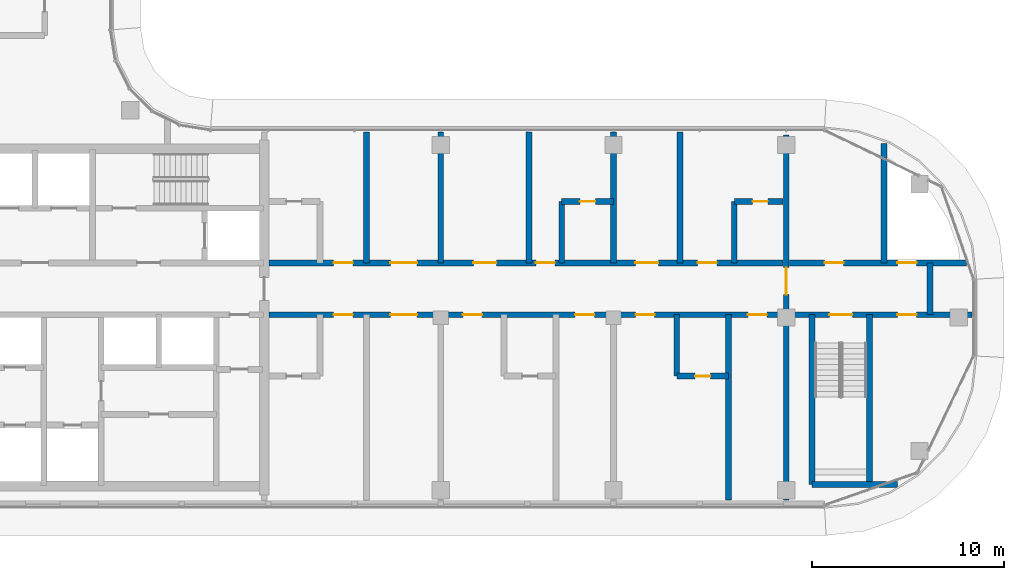
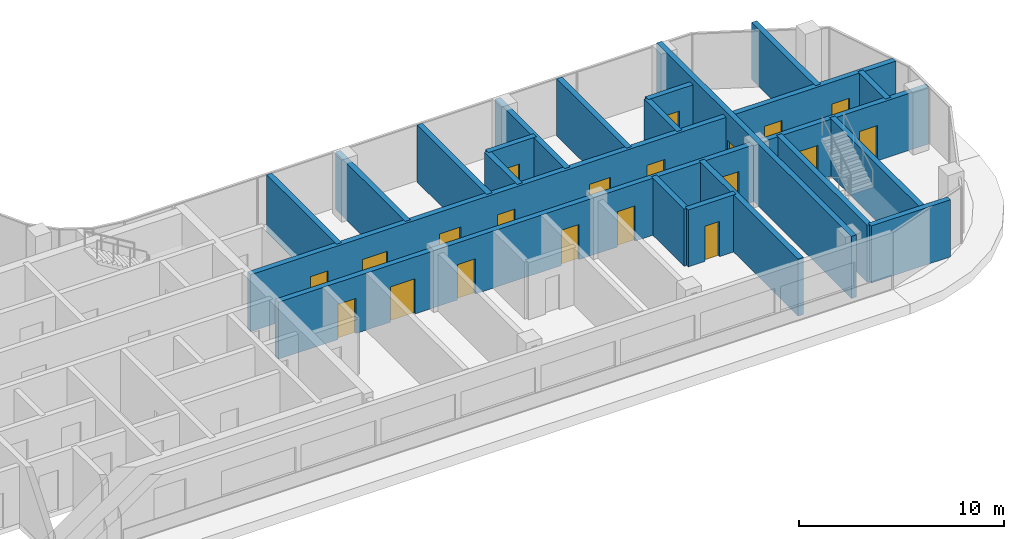
# One storey, part 15 of 22: 22 walls, 20 doors, 20 openings.
"""IFC4 building model written with IfcOpenShell, lengths in metres."""

from ifc_helpers import new_model, si_unit, direction, frame, frame_2d, origin, place, context, subcontext, project, spatial, rectangle, extrude, material, layer, layer_set, type_object, element, fill, save


model = new_model("IFC4")

# Units and contexts
model_context = context("Model", 3, precision=1e-05, world=origin(), true_north=direction((0.0, 1.0)))
body_context = subcontext(model_context, "Body", "Model", "MODEL_VIEW")
ifc_project = project(units=[si_unit("LENGTHUNIT", "METRE"), si_unit("AREAUNIT", "SQUARE_METRE"), si_unit("VOLUMEUNIT", "CUBIC_METRE"), si_unit("PLANEANGLEUNIT", "RADIAN"), si_unit("MASSUNIT", "GRAM", prefix="KILO")], contexts=[model_context])

# Site, building, storey
site_placement = place(None, origin())
site = spatial("IfcSite", under=ifc_project, at=site_placement, CompositionType="ELEMENT")
building_placement = place(site_placement, origin())
building = spatial("IfcBuilding", under=site, at=building_placement, Name="Ogive Portal Towers", CompositionType="ELEMENT")
storey_placement = place(building_placement, frame((0.0, 0.0, 206.89990234375)))
storey = spatial("IfcBuildingStorey", under=building, at=storey_placement, Name="L51", CompositionType="ELEMENT", Elevation=206.89990234375)

# Wall, opening, door
ifc_material_1 = material(Name="Concrete C60/75", Category="concrete")
ifc_layer_1 = layer(ifc_material_1, 0.300048828125)
ifc_layer_set_1 = layer_set([ifc_layer_1], Name="REVEAL WALL 300 C60")
wall_type_1 = type_object("IfcWallType", Name="REVEAL WALL 300 C60", PredefinedType="SHEAR", material=ifc_layer_set_1)
wall_1_placement = place(storey_placement, frame((85.5, 20.9951171875, 0.0), z_axis=(0.0, 0.0, 1.0), x_axis=(0.0, 1.0, 0.0)))
wall_1 = element("IfcWall", 1, at=wall_1_placement, inside=storey, type_object=wall_type_1, Name="Portal reveal wall L51", PredefinedType="SHEAR", context=body_context, shape_type="SweptSolid", body=[
    extrude(rectangle(XDim=19.009765625, YDim=0.300048828125, at=frame_2d((9.5048828125, 0.0))), origin(), (0.0, 0.0, 1.0), 3.7001953125),
])
opening_1_placement = place(wall_1_placement, frame((10.705078125, 0.0, 0.0)))
opening_1 = element("IfcOpeningElement", 2, at=opening_1_placement, cuts=wall_1, Name="Opening D23-060", PredefinedType="OPENING", context=body_context, shape_type="SweptSolid", body=[
    extrude(rectangle(XDim=1.39990234375, YDim=2.10009765625, at=frame_2d((0.699951171875, 1.050048828125))), frame((0.0, 0.16015625, 0.0), z_axis=(0.0, -1.0, 0.0), x_axis=(1.0, 0.0, 0.0)), (0.0, 0.0, 1.0), 0.320068359375),
])
ifc_material_2 = material(Name="Steel fire door", Category="steel")
door_type_1 = type_object("IfcDoorType", Name="DT-STAIR-1400x2100-FD90S", OperationType="SINGLE_SWING_LEFT", PredefinedType="DOOR", material=ifc_material_2)
door_1_placement = place(opening_1_placement, origin())
door_1 = element("IfcDoor", 3, at=door_1_placement, inside=storey, type_object=door_type_1, Name="Door D23-060", OperationType="SINGLE_SWING_RIGHT", OverallHeight=2.10009765625, OverallWidth=1.39990234375, PredefinedType="DOOR", context=body_context, shape_type="SweptSolid", body=[
    extrude(rectangle(XDim=1.39990234375, YDim=2.10009765625, at=frame_2d((0.699951171875, 1.050048828125))), frame((0.0, 0.02490234375, 0.0), z_axis=(0.0, -1.0, 0.0), x_axis=(1.0, 0.0, 0.0)), (0.0, 0.0, 1.0), 0.050048828125),
])
fill(opening_1, door_1)

# Wall
ifc_material_3 = material(Name="Concrete C50/60", Category="concrete")
ifc_layer_2 = layer(ifc_material_3, 0.300048828125)
ifc_layer_set_2 = layer_set([ifc_layer_2], Name="STAIR WALL 300 C50")
wall_type_2 = type_object("IfcWallType", Name="STAIR WALL 300 C50", PredefinedType="SHEAR", material=ifc_layer_set_2)
wall_2_placement = place(storey_placement, frame((86.85009765625, 21.800048828125, 0.0), z_axis=(0.0, 0.0, 1.0), x_axis=(1.0, 0.0, 0.0)))
element("IfcWall", 4, at=wall_2_placement, inside=storey, type_object=wall_type_2, Name="Stair wall ST-A4 L51", PredefinedType="SHEAR", context=body_context, shape_type="SweptSolid", body=[
    extrude(rectangle(XDim=4.4599609375, YDim=0.300048828125, at=frame_2d((2.22998046875, 0.0))), origin(), (0.0, 0.0, 1.0), 3.400146484375),
])

# Wall, openings, doors
wall_3_placement = place(storey_placement, frame((85.669921875, 30.64990234375, 0.0), z_axis=(0.0, 0.0, 1.0), x_axis=(1.0, 0.0, 0.0)))
wall_3 = element("IfcWall", 5, at=wall_3_placement, inside=storey, type_object=wall_type_2, Name="Stair wall ST-A4 L51", PredefinedType="SHEAR", context=body_context, shape_type="SweptSolid", body=[
    extrude(rectangle(XDim=9.51513671875, YDim=0.300048828125, at=frame_2d((4.757568359375, 0.0))), origin(), (0.0, 0.0, 1.0), 3.400146484375),
])
opening_2_placement = place(wall_3_placement, frame((2.080078125, 0.0, 0.0)))
opening_2 = element("IfcOpeningElement", 6, at=opening_2_placement, cuts=wall_3, Name="Opening D23-056", PredefinedType="OPENING", context=body_context, shape_type="SweptSolid", body=[
    extrude(rectangle(XDim=1.199951171875, YDim=2.10009765625, at=frame_2d((0.60009765625, 1.050048828125))), frame((0.0, 0.16015625, 0.0), z_axis=(0.0, -1.0, 0.0), x_axis=(1.0, 0.0, 0.0)), (0.0, 0.0, 1.0), 0.320068359375),
])
opening_3_placement = place(wall_3_placement, frame((5.6298828125, 0.0, 0.0)))
opening_3 = element("IfcOpeningElement", 7, at=opening_3_placement, cuts=wall_3, Name="Opening D23-059", PredefinedType="OPENING", context=body_context, shape_type="SweptSolid", body=[
    extrude(rectangle(XDim=1.0, YDim=2.10009765625, at=frame_2d((0.5, 1.050048828125))), frame((0.0, 0.16015625, 0.0), z_axis=(0.0, -1.0, 0.0), x_axis=(1.0, 0.0, 0.0)), (0.0, 0.0, 1.0), 0.320068359375),
])
door_type_2 = type_object("IfcDoorType", Name="DT-SERVICE-1000x2100-FD90S", OperationType="SINGLE_SWING_LEFT", PredefinedType="DOOR", material=ifc_material_2)
door_2_placement = place(opening_3_placement, origin())
door_2 = element("IfcDoor", 8, at=door_2_placement, inside=storey, type_object=door_type_2, Name="Door D23-059", OperationType="SINGLE_SWING_LEFT", OverallHeight=2.10009765625, OverallWidth=1.0, PredefinedType="DOOR", context=body_context, shape_type="SweptSolid", body=[
    extrude(rectangle(XDim=1.0, YDim=2.10009765625, at=frame_2d((0.5, 1.050048828125))), frame((0.0, 0.02490234375, 0.0), z_axis=(0.0, -1.0, 0.0), x_axis=(1.0, 0.0, 0.0)), (0.0, 0.0, 1.0), 0.050048828125),
])
fill(opening_3, door_2)
door_type_3 = type_object("IfcDoorType", Name="DT-STAIR-1200x2100-FD90S", OperationType="SINGLE_SWING_LEFT", PredefinedType="DOOR", material=ifc_material_2)
door_3_placement = place(opening_2_placement, origin())
door_3 = element("IfcDoor", 9, at=door_3_placement, inside=storey, type_object=door_type_3, Name="Door D23-056", OperationType="SINGLE_SWING_LEFT", OverallHeight=2.10009765625, OverallWidth=1.199951171875, PredefinedType="DOOR", context=body_context, shape_type="SweptSolid", body=[
    extrude(rectangle(XDim=1.199951171875, YDim=2.10009765625, at=frame_2d((0.60009765625, 1.050048828125))), frame((0.0, 0.02490234375, 0.0), z_axis=(0.0, -1.0, 0.0), x_axis=(1.0, 0.0, 0.0)), (0.0, 0.0, 1.0), 0.050048828125),
])
fill(opening_2, door_3)

# Walls
for number, where, z_axis, x_axis, name in (
    (10, (86.85009765625, 21.800048828125, 0.0), (0.0, 0.0, 1.0), (0.0, 1.0, 0.0), "Stair wall ST-A4 L51"),
    (11, (89.85009765625, 21.800048828125, 0.0), (0.0, 0.0, 1.0), (0.0, 1.0, 0.0), "Stair wall ST-A4 L51"),
):
    element("IfcWall", number, at=place(storey_placement, frame(where, z_axis=z_axis, x_axis=x_axis)), inside=storey, type_object=wall_type_2, Name=name, PredefinedType="SHEAR", context=body_context, shape_type="SweptSolid", body=[
        extrude(rectangle(XDim=8.849853515625, YDim=0.300048828125, at=frame_2d((4.4248046875, 0.0))), origin(), (0.0, 0.0, 1.0), 3.400146484375),
    ])

# Wall, openings, doors
ifc_material_4 = material(Name="Gypsum board partition on steel studs", Category="steel")
ifc_layer_3 = layer(ifc_material_4, 0.300048828125)
ifc_layer_set_3 = layer_set([ifc_layer_3], Name="WT-PART-300-EI 120")
wall_type_3 = type_object("IfcWallType", Name="WT-PART-300-EI 120", PredefinedType="PARTITIONING", material=ifc_layer_set_3)
wall_4_placement = place(storey_placement, frame((58.550048828125, 30.64990234375, 0.0), z_axis=(0.0, 0.0, 1.0), x_axis=(1.0, 0.0, 0.0)))
wall_4 = element("IfcWall", 12, at=wall_4_placement, inside=storey, type_object=wall_type_3, Name="Wall L51:w005", PredefinedType="PARTITIONING", context=body_context, shape_type="SweptSolid", body=[
    extrude(rectangle(XDim=26.780029296875, YDim=0.300048828125, at=frame_2d((13.39013671875, 0.0))), origin(), (0.0, 0.0, 1.0), 3.400146484375),
])
opening_4_placement = place(wall_4_placement, frame((3.364990234375, 0.0, 0.0)))
opening_4 = element("IfcOpeningElement", 13, at=opening_4_placement, cuts=wall_4, Name="Opening D23-031", PredefinedType="OPENING", context=body_context, shape_type="SweptSolid", body=[
    extrude(rectangle(XDim=1.0, YDim=2.10009765625, at=frame_2d((0.5, 1.050048828125))), frame((0.0, 0.16015625, 0.0), z_axis=(0.0, -1.0, 0.0), x_axis=(1.0, 0.0, 0.0)), (0.0, 0.0, 1.0), 0.320068359375),
])
opening_5_placement = place(wall_4_placement, frame((6.31494140625, 0.0, 0.0)))
opening_5 = element("IfcOpeningElement", 14, at=opening_5_placement, cuts=wall_4, Name="Opening D23-032", PredefinedType="OPENING", context=body_context, shape_type="SweptSolid", body=[
    extrude(rectangle(XDim=1.39990234375, YDim=2.10009765625, at=frame_2d((0.699951171875, 1.050048828125))), frame((0.0, 0.16015625, 0.0), z_axis=(0.0, -1.0, 0.0), x_axis=(1.0, 0.0, 0.0)), (0.0, 0.0, 1.0), 0.320068359375),
])
opening_6_placement = place(wall_4_placement, frame((10.10009765625, 0.0, 0.0)))
opening_6 = element("IfcOpeningElement", 15, at=opening_6_placement, cuts=wall_4, Name="Opening D23-037", PredefinedType="OPENING", context=body_context, shape_type="SweptSolid", body=[
    extrude(rectangle(XDim=1.0, YDim=2.10009765625, at=frame_2d((0.5, 1.050048828125))), frame((0.0, 0.16015625, 0.0), z_axis=(0.0, -1.0, 0.0), x_axis=(1.0, 0.0, 0.0)), (0.0, 0.0, 1.0), 0.320068359375),
])
opening_7_placement = place(wall_4_placement, frame((15.949951171875, 0.0, 0.0)))
opening_7 = element("IfcOpeningElement", 16, at=opening_7_placement, cuts=wall_4, Name="Opening D23-038", PredefinedType="OPENING", context=body_context, shape_type="SweptSolid", body=[
    extrude(rectangle(XDim=1.0, YDim=2.10009765625, at=frame_2d((0.5, 1.050048828125))), frame((0.0, 0.16015625, 0.0), z_axis=(0.0, -1.0, 0.0), x_axis=(1.0, 0.0, 0.0)), (0.0, 0.0, 1.0), 0.320068359375),
])
opening_8_placement = place(wall_4_placement, frame((19.10009765625, 0.0, 0.0)))
opening_8 = element("IfcOpeningElement", 17, at=opening_8_placement, cuts=wall_4, Name="Opening D23-043", PredefinedType="OPENING", context=body_context, shape_type="SweptSolid", body=[
    extrude(rectangle(XDim=1.0, YDim=2.10009765625, at=frame_2d((0.5, 1.050048828125))), frame((0.0, 0.16015625, 0.0), z_axis=(0.0, -1.0, 0.0), x_axis=(1.0, 0.0, 0.0)), (0.0, 0.0, 1.0), 0.320068359375),
])
opening_9_placement = place(wall_4_placement, frame((24.949951171875, 0.0, 0.0)))
opening_9 = element("IfcOpeningElement", 18, at=opening_9_placement, cuts=wall_4, Name="Opening D23-044", PredefinedType="OPENING", context=body_context, shape_type="SweptSolid", body=[
    extrude(rectangle(XDim=1.0, YDim=2.10009765625, at=frame_2d((0.5, 1.050048828125))), frame((0.0, 0.16015625, 0.0), z_axis=(0.0, -1.0, 0.0), x_axis=(1.0, 0.0, 0.0)), (0.0, 0.0, 1.0), 0.320068359375),
])
door_type_4 = type_object("IfcDoorType", Name="DT-ENTRY-1000x2100-FD90S", OperationType="SINGLE_SWING_LEFT", PredefinedType="DOOR", material=ifc_material_2)
door_4_placement = place(opening_4_placement, origin())
door_4 = element("IfcDoor", 19, at=door_4_placement, inside=storey, type_object=door_type_4, Name="Door D23-031", OperationType="SINGLE_SWING_LEFT", OverallHeight=2.10009765625, OverallWidth=1.0, PredefinedType="DOOR", context=body_context, shape_type="SweptSolid", body=[
    extrude(rectangle(XDim=1.0, YDim=2.10009765625, at=frame_2d((0.5, 1.050048828125))), frame((0.0, 0.02490234375, 0.0), z_axis=(0.0, -1.0, 0.0), x_axis=(1.0, 0.0, 0.0)), (0.0, 0.0, 1.0), 0.050048828125),
])
fill(opening_4, door_4)
door_5_placement = place(opening_6_placement, origin())
door_5 = element("IfcDoor", 20, at=door_5_placement, inside=storey, type_object=door_type_4, Name="Door D23-037", OperationType="SINGLE_SWING_LEFT", OverallHeight=2.10009765625, OverallWidth=1.0, PredefinedType="DOOR", context=body_context, shape_type="SweptSolid", body=[
    extrude(rectangle(XDim=1.0, YDim=2.10009765625, at=frame_2d((0.5, 1.050048828125))), frame((0.0, 0.02490234375, 0.0), z_axis=(0.0, -1.0, 0.0), x_axis=(1.0, 0.0, 0.0)), (0.0, 0.0, 1.0), 0.050048828125),
])
fill(opening_6, door_5)
door_6_placement = place(opening_7_placement, origin())
door_6 = element("IfcDoor", 21, at=door_6_placement, inside=storey, type_object=door_type_4, Name="Door D23-038", OperationType="SINGLE_SWING_RIGHT", OverallHeight=2.10009765625, OverallWidth=1.0, PredefinedType="DOOR", context=body_context, shape_type="SweptSolid", body=[
    extrude(rectangle(XDim=1.0, YDim=2.10009765625, at=frame_2d((0.5, 1.050048828125))), frame((0.0, 0.02490234375, 0.0), z_axis=(0.0, -1.0, 0.0), x_axis=(1.0, 0.0, 0.0)), (0.0, 0.0, 1.0), 0.050048828125),
])
fill(opening_7, door_6)
door_7_placement = place(opening_8_placement, origin())
door_7 = element("IfcDoor", 22, at=door_7_placement, inside=storey, type_object=door_type_4, Name="Door D23-043", OperationType="SINGLE_SWING_LEFT", OverallHeight=2.10009765625, OverallWidth=1.0, PredefinedType="DOOR", context=body_context, shape_type="SweptSolid", body=[
    extrude(rectangle(XDim=1.0, YDim=2.10009765625, at=frame_2d((0.5, 1.050048828125))), frame((0.0, 0.02490234375, 0.0), z_axis=(0.0, -1.0, 0.0), x_axis=(1.0, 0.0, 0.0)), (0.0, 0.0, 1.0), 0.050048828125),
])
fill(opening_8, door_7)
door_8_placement = place(opening_9_placement, origin())
door_8 = element("IfcDoor", 23, at=door_8_placement, inside=storey, type_object=door_type_4, Name="Door D23-044", OperationType="SINGLE_SWING_RIGHT", OverallHeight=2.10009765625, OverallWidth=1.0, PredefinedType="DOOR", context=body_context, shape_type="SweptSolid", body=[
    extrude(rectangle(XDim=1.0, YDim=2.10009765625, at=frame_2d((0.5, 1.050048828125))), frame((0.0, 0.02490234375, 0.0), z_axis=(0.0, -1.0, 0.0), x_axis=(1.0, 0.0, 0.0)), (0.0, 0.0, 1.0), 0.050048828125),
])
fill(opening_9, door_8)
door_type_5 = type_object("IfcDoorType", Name="DT-ENTRY-1400x2100-FD90S", OperationType="SINGLE_SWING_LEFT", PredefinedType="DOOR", material=ifc_material_2)
door_9_placement = place(opening_5_placement, origin())
door_9 = element("IfcDoor", 24, at=door_9_placement, inside=storey, type_object=door_type_5, Name="Door D23-032", OperationType="SINGLE_SWING_RIGHT", OverallHeight=2.10009765625, OverallWidth=1.39990234375, PredefinedType="DOOR", context=body_context, shape_type="SweptSolid", body=[
    extrude(rectangle(XDim=1.39990234375, YDim=2.10009765625, at=frame_2d((0.699951171875, 1.050048828125))), frame((0.0, 0.02490234375, 0.0), z_axis=(0.0, -1.0, 0.0), x_axis=(1.0, 0.0, 0.0)), (0.0, 0.0, 1.0), 0.050048828125),
])
fill(opening_5, door_9)

wall_5_placement = place(storey_placement, frame((58.550048828125, 33.35009765625, 0.0), z_axis=(0.0, 0.0, 1.0), x_axis=(1.0, 0.0, 0.0)))
wall_5 = element("IfcWall", 25, at=wall_5_placement, inside=storey, type_object=wall_type_3, Name="Wall L51:w007", PredefinedType="PARTITIONING", context=body_context, shape_type="SweptSolid", body=[
    extrude(rectangle(XDim=26.780029296875, YDim=0.300048828125, at=frame_2d((13.39013671875, 0.0))), origin(), (0.0, 0.0, 1.0), 3.400146484375),
])
opening_10_placement = place(wall_5_placement, frame((3.364990234375, 0.0, 0.0)))
opening_10 = element("IfcOpeningElement", 26, at=opening_10_placement, cuts=wall_5, Name="Opening D23-028", PredefinedType="OPENING", context=body_context, shape_type="SweptSolid", body=[
    extrude(rectangle(XDim=1.0, YDim=2.10009765625, at=frame_2d((0.5, 1.050048828125))), frame((0.0, 0.16015625, 0.0), z_axis=(0.0, -1.0, 0.0), x_axis=(1.0, 0.0, 0.0)), (0.0, 0.0, 1.0), 0.320068359375),
])
opening_11_placement = place(wall_5_placement, frame((6.31494140625, 0.0, 0.0)))
opening_11 = element("IfcOpeningElement", 27, at=opening_11_placement, cuts=wall_5, Name="Opening D23-029", PredefinedType="OPENING", context=body_context, shape_type="SweptSolid", body=[
    extrude(rectangle(XDim=1.39990234375, YDim=2.10009765625, at=frame_2d((0.699951171875, 1.050048828125))), frame((0.0, 0.16015625, 0.0), z_axis=(0.0, -1.0, 0.0), x_axis=(1.0, 0.0, 0.0)), (0.0, 0.0, 1.0), 0.320068359375),
])
opening_12_placement = place(wall_5_placement, frame((10.64990234375, 0.0, 0.0)))
opening_12 = element("IfcOpeningElement", 28, at=opening_12_placement, cuts=wall_5, Name="Opening D23-033", PredefinedType="OPENING", context=body_context, shape_type="SweptSolid", body=[
    extrude(rectangle(XDim=1.199951171875, YDim=2.10009765625, at=frame_2d((0.60009765625, 1.050048828125))), frame((0.0, 0.16015625, 0.0), z_axis=(0.0, -1.0, 0.0), x_axis=(1.0, 0.0, 0.0)), (0.0, 0.0, 1.0), 0.320068359375),
])
opening_13_placement = place(wall_5_placement, frame((13.89990234375, 0.0, 0.0)))
opening_13 = element("IfcOpeningElement", 29, at=opening_13_placement, cuts=wall_5, Name="Opening D23-035", PredefinedType="OPENING", context=body_context, shape_type="SweptSolid", body=[
    extrude(rectangle(XDim=1.0, YDim=2.10009765625, at=frame_2d((0.5, 1.050048828125))), frame((0.0, 0.16015625, 0.0), z_axis=(0.0, -1.0, 0.0), x_axis=(1.0, 0.0, 0.0)), (0.0, 0.0, 1.0), 0.320068359375),
])
opening_14_placement = place(wall_5_placement, frame((19.0849609375, 0.0, 0.0)))
opening_14 = element("IfcOpeningElement", 30, at=opening_14_placement, cuts=wall_5, Name="Opening D23-039", PredefinedType="OPENING", context=body_context, shape_type="SweptSolid", body=[
    extrude(rectangle(XDim=1.199951171875, YDim=2.10009765625, at=frame_2d((0.60009765625, 1.050048828125))), frame((0.0, 0.16015625, 0.0), z_axis=(0.0, -1.0, 0.0), x_axis=(1.0, 0.0, 0.0)), (0.0, 0.0, 1.0), 0.320068359375),
])
opening_15_placement = place(wall_5_placement, frame((22.3349609375, 0.0, 0.0)))
opening_15 = element("IfcOpeningElement", 31, at=opening_15_placement, cuts=wall_5, Name="Opening D23-041", PredefinedType="OPENING", context=body_context, shape_type="SweptSolid", body=[
    extrude(rectangle(XDim=1.0, YDim=2.10009765625, at=frame_2d((0.5, 1.050048828125))), frame((0.0, 0.16015625, 0.0), z_axis=(0.0, -1.0, 0.0), x_axis=(1.0, 0.0, 0.0)), (0.0, 0.0, 1.0), 0.320068359375),
])
door_10_placement = place(opening_10_placement, origin())
door_10 = element("IfcDoor", 32, at=door_10_placement, inside=storey, type_object=door_type_4, Name="Door D23-028", OperationType="SINGLE_SWING_LEFT", OverallHeight=2.10009765625, OverallWidth=1.0, PredefinedType="DOOR", context=body_context, shape_type="SweptSolid", body=[
    extrude(rectangle(XDim=1.0, YDim=2.10009765625, at=frame_2d((0.5, 1.050048828125))), frame((0.0, 0.02490234375, 0.0), z_axis=(0.0, -1.0, 0.0), x_axis=(1.0, 0.0, 0.0)), (0.0, 0.0, 1.0), 0.050048828125),
])
fill(opening_10, door_10)
door_11_placement = place(opening_13_placement, origin())
door_11 = element("IfcDoor", 33, at=door_11_placement, inside=storey, type_object=door_type_4, Name="Door D23-035", OperationType="SINGLE_SWING_LEFT", OverallHeight=2.10009765625, OverallWidth=1.0, PredefinedType="DOOR", context=body_context, shape_type="SweptSolid", body=[
    extrude(rectangle(XDim=1.0, YDim=2.10009765625, at=frame_2d((0.5, 1.050048828125))), frame((0.0, 0.02490234375, 0.0), z_axis=(0.0, -1.0, 0.0), x_axis=(1.0, 0.0, 0.0)), (0.0, 0.0, 1.0), 0.050048828125),
])
fill(opening_13, door_11)
door_12_placement = place(opening_15_placement, origin())
door_12 = element("IfcDoor", 34, at=door_12_placement, inside=storey, type_object=door_type_4, Name="Door D23-041", OperationType="SINGLE_SWING_LEFT", OverallHeight=2.10009765625, OverallWidth=1.0, PredefinedType="DOOR", context=body_context, shape_type="SweptSolid", body=[
    extrude(rectangle(XDim=1.0, YDim=2.10009765625, at=frame_2d((0.5, 1.050048828125))), frame((0.0, 0.02490234375, 0.0), z_axis=(0.0, -1.0, 0.0), x_axis=(1.0, 0.0, 0.0)), (0.0, 0.0, 1.0), 0.050048828125),
])
fill(opening_15, door_12)
door_type_6 = type_object("IfcDoorType", Name="DT-ENTRY-1200x2100-FD90S", OperationType="SINGLE_SWING_LEFT", PredefinedType="DOOR", material=ifc_material_2)
door_13_placement = place(opening_12_placement, origin())
door_13 = element("IfcDoor", 35, at=door_13_placement, inside=storey, type_object=door_type_6, Name="Door D23-033", OperationType="SINGLE_SWING_LEFT", OverallHeight=2.10009765625, OverallWidth=1.199951171875, PredefinedType="DOOR", context=body_context, shape_type="SweptSolid", body=[
    extrude(rectangle(XDim=1.199951171875, YDim=2.10009765625, at=frame_2d((0.60009765625, 1.050048828125))), frame((0.0, 0.02490234375, 0.0), z_axis=(0.0, -1.0, 0.0), x_axis=(1.0, 0.0, 0.0)), (0.0, 0.0, 1.0), 0.050048828125),
])
fill(opening_12, door_13)
door_14_placement = place(opening_14_placement, origin())
door_14 = element("IfcDoor", 36, at=door_14_placement, inside=storey, type_object=door_type_6, Name="Door D23-039", OperationType="SINGLE_SWING_LEFT", OverallHeight=2.10009765625, OverallWidth=1.199951171875, PredefinedType="DOOR", context=body_context, shape_type="SweptSolid", body=[
    extrude(rectangle(XDim=1.199951171875, YDim=2.10009765625, at=frame_2d((0.60009765625, 1.050048828125))), frame((0.0, 0.02490234375, 0.0), z_axis=(0.0, -1.0, 0.0), x_axis=(1.0, 0.0, 0.0)), (0.0, 0.0, 1.0), 0.050048828125),
])
fill(opening_14, door_14)
door_15_placement = place(opening_11_placement, origin())
door_15 = element("IfcDoor", 37, at=door_15_placement, inside=storey, type_object=door_type_5, Name="Door D23-029", OperationType="SINGLE_SWING_RIGHT", OverallHeight=2.10009765625, OverallWidth=1.39990234375, PredefinedType="DOOR", context=body_context, shape_type="SweptSolid", body=[
    extrude(rectangle(XDim=1.39990234375, YDim=2.10009765625, at=frame_2d((0.699951171875, 1.050048828125))), frame((0.0, 0.02490234375, 0.0), z_axis=(0.0, -1.0, 0.0), x_axis=(1.0, 0.0, 0.0)), (0.0, 0.0, 1.0), 0.050048828125),
])
fill(opening_11, door_15)

wall_6_placement = place(storey_placement, frame((85.669921875, 33.35009765625, 0.0), z_axis=(0.0, 0.0, 1.0), x_axis=(1.0, 0.0, 0.0)))
wall_6 = element("IfcWall", 38, at=wall_6_placement, inside=storey, type_object=wall_type_3, Name="Wall L51:w008", PredefinedType="PARTITIONING", context=body_context, shape_type="SweptSolid", body=[
    extrude(rectangle(XDim=9.237060546875, YDim=0.300048828125, at=frame_2d((4.61865234375, 0.0))), origin(), (0.0, 0.0, 1.0), 3.400146484375),
])
opening_16_placement = place(wall_6_placement, frame((1.830078125, 0.0, 0.0)))
opening_16 = element("IfcOpeningElement", 39, at=opening_16_placement, cuts=wall_6, Name="Opening D23-057", PredefinedType="OPENING", context=body_context, shape_type="SweptSolid", body=[
    extrude(rectangle(XDim=1.0, YDim=2.10009765625, at=frame_2d((0.5, 1.050048828125))), frame((0.0, 0.16015625, 0.0), z_axis=(0.0, -1.0, 0.0), x_axis=(1.0, 0.0, 0.0)), (0.0, 0.0, 1.0), 0.320068359375),
])
opening_17_placement = place(wall_6_placement, frame((5.6298828125, 0.0, 0.0)))
opening_17 = element("IfcOpeningElement", 40, at=opening_17_placement, cuts=wall_6, Name="Opening D23-058", PredefinedType="OPENING", context=body_context, shape_type="SweptSolid", body=[
    extrude(rectangle(XDim=1.0, YDim=2.10009765625, at=frame_2d((0.5, 1.050048828125))), frame((0.0, 0.16015625, 0.0), z_axis=(0.0, -1.0, 0.0), x_axis=(1.0, 0.0, 0.0)), (0.0, 0.0, 1.0), 0.320068359375),
])
door_16_placement = place(opening_16_placement, origin())
door_16 = element("IfcDoor", 41, at=door_16_placement, inside=storey, type_object=door_type_2, Name="Door D23-057", OperationType="SINGLE_SWING_LEFT", OverallHeight=2.10009765625, OverallWidth=1.0, PredefinedType="DOOR", context=body_context, shape_type="SweptSolid", body=[
    extrude(rectangle(XDim=1.0, YDim=2.10009765625, at=frame_2d((0.5, 1.050048828125))), frame((0.0, 0.02490234375, 0.0), z_axis=(0.0, -1.0, 0.0), x_axis=(1.0, 0.0, 0.0)), (0.0, 0.0, 1.0), 0.050048828125),
])
fill(opening_16, door_16)
door_17_placement = place(opening_17_placement, origin())
door_17 = element("IfcDoor", 42, at=door_17_placement, inside=storey, type_object=door_type_2, Name="Riser access door D23-058", OperationType="SINGLE_SWING_RIGHT", OverallHeight=2.10009765625, OverallWidth=1.0, PredefinedType="DOOR", context=body_context, shape_type="SweptSolid", body=[
    extrude(rectangle(XDim=1.0, YDim=2.10009765625, at=frame_2d((0.5, 1.050048828125))), frame((0.0, 0.02490234375, 0.0), z_axis=(0.0, -1.0, 0.0), x_axis=(1.0, 0.0, 0.0)), (0.0, 0.0, 1.0), 0.050048828125),
])
fill(opening_17, door_17)

# Wall
wall_7_placement = place(storey_placement, frame((93.0, 30.64990234375, 0.0), z_axis=(0.0, 0.0, 1.0), x_axis=(0.0, 1.0, 0.0)))
element("IfcWall", 43, at=wall_7_placement, inside=storey, type_object=wall_type_3, Name="Wall L51:w048", PredefinedType="PARTITIONING", context=body_context, shape_type="SweptSolid", body=[
    extrude(rectangle(XDim=2.7001953125, YDim=0.300048828125, at=frame_2d((1.35009765625, 0.0))), origin(), (0.0, 0.0, 1.0), 3.400146484375),
])

# Wall, opening, door
ifc_layer_4 = layer(ifc_material_4, 0.300048828125)
ifc_layer_set_4 = layer_set([ifc_layer_4], Name="WT-PART-300-EI 60")
wall_type_4 = type_object("IfcWallType", Name="WT-PART-300-EI 60", PredefinedType="PARTITIONING", material=ifc_layer_set_4)
wall_8_placement = place(storey_placement, frame((79.800048828125, 27.449951171875, 0.0), z_axis=(0.0, 0.0, 1.0), x_axis=(1.0, 0.0, 0.0)))
wall_8 = element("IfcWall", 44, at=wall_8_placement, inside=storey, type_object=wall_type_4, Name="Wall L51:w004", PredefinedType="PARTITIONING", context=body_context, shape_type="SweptSolid", body=[
    extrude(rectangle(XDim=2.699951171875, YDim=0.300048828125, at=frame_2d((1.35009765625, 0.0))), origin(), (0.0, 0.0, 1.0), 3.400146484375),
])
opening_18_placement = place(wall_8_placement, frame((0.949951171875, 0.0, 0.0)))
opening_18 = element("IfcOpeningElement", 45, at=opening_18_placement, cuts=wall_8, Name="Opening D23-042", PredefinedType="OPENING", context=body_context, shape_type="SweptSolid", body=[
    extrude(rectangle(XDim=0.800048828125, YDim=2.10009765625, at=frame_2d((0.39990234375, 1.050048828125))), frame((0.0, 0.16015625, 0.0), z_axis=(0.0, -1.0, 0.0), x_axis=(1.0, 0.0, 0.0)), (0.0, 0.0, 1.0), 0.320068359375),
])
door_type_7 = type_object("IfcDoorType", Name="DT-BATH-800x2100-FD60S", OperationType="SINGLE_SWING_LEFT", PredefinedType="DOOR", material=ifc_material_2)
door_18_placement = place(opening_18_placement, origin())
door_18 = element("IfcDoor", 46, at=door_18_placement, inside=storey, type_object=door_type_7, Name="Door D23-042", OperationType="SINGLE_SWING_LEFT", OverallHeight=2.10009765625, OverallWidth=0.800048828125, PredefinedType="DOOR", context=body_context, shape_type="SweptSolid", body=[
    extrude(rectangle(XDim=0.800048828125, YDim=2.10009765625, at=frame_2d((0.39990234375, 1.050048828125))), frame((0.0, 0.02490234375, 0.0), z_axis=(0.0, -1.0, 0.0), x_axis=(1.0, 0.0, 0.0)), (0.0, 0.0, 1.0), 0.050048828125),
])
fill(opening_18, door_18)

wall_9_placement = place(storey_placement, frame((73.800048828125, 36.550048828125, 0.0), z_axis=(0.0, 0.0, 1.0), x_axis=(1.0, 0.0, 0.0)))
wall_9 = element("IfcWall", 47, at=wall_9_placement, inside=storey, type_object=wall_type_4, Name="Wall L51:w010", PredefinedType="PARTITIONING", context=body_context, shape_type="SweptSolid", body=[
    extrude(rectangle(XDim=2.699951171875, YDim=0.300048828125, at=frame_2d((1.35009765625, 0.0))), origin(), (0.0, 0.0, 1.0), 3.400146484375),
])
opening_19_placement = place(wall_9_placement, frame((0.949951171875, 0.0, 0.0)))
opening_19 = element("IfcOpeningElement", 48, at=opening_19_placement, cuts=wall_9, Name="Opening D23-034", PredefinedType="OPENING", context=body_context, shape_type="SweptSolid", body=[
    extrude(rectangle(XDim=0.800048828125, YDim=2.10009765625, at=frame_2d((0.39990234375, 1.050048828125))), frame((0.0, 0.16015625, 0.0), z_axis=(0.0, -1.0, 0.0), x_axis=(1.0, 0.0, 0.0)), (0.0, 0.0, 1.0), 0.320068359375),
])
door_19_placement = place(opening_19_placement, origin())
door_19 = element("IfcDoor", 49, at=door_19_placement, inside=storey, type_object=door_type_7, Name="Door D23-034", OperationType="SINGLE_SWING_RIGHT", OverallHeight=2.10009765625, OverallWidth=0.800048828125, PredefinedType="DOOR", context=body_context, shape_type="SweptSolid", body=[
    extrude(rectangle(XDim=0.800048828125, YDim=2.10009765625, at=frame_2d((0.39990234375, 1.050048828125))), frame((0.0, 0.02490234375, 0.0), z_axis=(0.0, -1.0, 0.0), x_axis=(1.0, 0.0, 0.0)), (0.0, 0.0, 1.0), 0.050048828125),
])
fill(opening_19, door_19)

wall_10_placement = place(storey_placement, frame((82.800048828125, 36.550048828125, 0.0), z_axis=(0.0, 0.0, 1.0), x_axis=(1.0, 0.0, 0.0)))
wall_10 = element("IfcWall", 50, at=wall_10_placement, inside=storey, type_object=wall_type_4, Name="Wall L51:w011", PredefinedType="PARTITIONING", context=body_context, shape_type="SweptSolid", body=[
    extrude(rectangle(XDim=2.530029296875, YDim=0.300048828125, at=frame_2d((1.26513671875, 0.0))), origin(), (0.0, 0.0, 1.0), 3.400146484375),
])
opening_20_placement = place(wall_10_placement, frame((0.949951171875, 0.0, 0.0)))
opening_20 = element("IfcOpeningElement", 51, at=opening_20_placement, cuts=wall_10, Name="Opening D23-040", PredefinedType="OPENING", context=body_context, shape_type="SweptSolid", body=[
    extrude(rectangle(XDim=0.800048828125, YDim=2.10009765625, at=frame_2d((0.39990234375, 1.050048828125))), frame((0.0, 0.16015625, 0.0), z_axis=(0.0, -1.0, 0.0), x_axis=(1.0, 0.0, 0.0)), (0.0, 0.0, 1.0), 0.320068359375),
])
door_20_placement = place(opening_20_placement, origin())
door_20 = element("IfcDoor", 52, at=door_20_placement, inside=storey, type_object=door_type_7, Name="Door D23-040", OperationType="SINGLE_SWING_RIGHT", OverallHeight=2.10009765625, OverallWidth=0.800048828125, PredefinedType="DOOR", context=body_context, shape_type="SweptSolid", body=[
    extrude(rectangle(XDim=0.800048828125, YDim=2.10009765625, at=frame_2d((0.39990234375, 1.050048828125))), frame((0.0, 0.02490234375, 0.0), z_axis=(0.0, -1.0, 0.0), x_axis=(1.0, 0.0, 0.0)), (0.0, 0.0, 1.0), 0.050048828125),
])
fill(opening_20, door_20)

# Walls
for number, where, z_axis, x_axis, name in (
    (53, (63.6298828125, 33.35009765625, 0.0), (0.0, 0.0, 1.0), (0.0, 1.0, 0.0), "Wall L51:w032"),
    (54, (67.5, 33.35009765625, 0.0), (0.0, 0.0, 1.0), (0.0, 1.0, 0.0), "Wall L51:w034"),
    (55, (72.10009765625, 33.35009765625, 0.0), (0.0, 0.0, 1.0), (0.0, 1.0, 0.0), "Wall L51:w036"),
):
    element("IfcWall", number, at=place(storey_placement, frame(where, z_axis=z_axis, x_axis=x_axis)), inside=storey, type_object=wall_type_4, Name=name, PredefinedType="PARTITIONING", context=body_context, shape_type="SweptSolid", body=[
        extrude(rectangle(XDim=6.8349609375, YDim=0.300048828125, at=frame_2d((3.41748046875, 0.0))), origin(), (0.0, 0.0, 1.0), 3.400146484375),
    ])
wall_11_placement = place(storey_placement, frame((73.800048828125, 33.35009765625, 0.0), z_axis=(0.0, 0.0, 1.0), x_axis=(0.0, 1.0, 0.0)))
element("IfcWall", 56, at=wall_11_placement, inside=storey, type_object=wall_type_4, Name="Wall L51:w038", PredefinedType="PARTITIONING", context=body_context, shape_type="SweptSolid", body=[
    extrude(rectangle(XDim=3.199951171875, YDim=0.300048828125, at=frame_2d((1.60009765625, 0.0))), origin(), (0.0, 0.0, 1.0), 3.400146484375),
])
wall_12_placement = place(storey_placement, frame((76.5, 33.35009765625, 0.0), z_axis=(0.0, 0.0, 1.0), x_axis=(0.0, 1.0, 0.0)))
element("IfcWall", 57, at=wall_12_placement, inside=storey, type_object=wall_type_4, Name="Wall L51:w040", PredefinedType="PARTITIONING", context=body_context, shape_type="SweptSolid", body=[
    extrude(rectangle(XDim=6.8349609375, YDim=0.300048828125, at=frame_2d((3.41748046875, 0.0))), origin(), (0.0, 0.0, 1.0), 3.400146484375),
])
wall_13_placement = place(storey_placement, frame((79.800048828125, 27.449951171875, 0.0), z_axis=(0.0, 0.0, 1.0), x_axis=(0.0, 1.0, 0.0)))
element("IfcWall", 58, at=wall_13_placement, inside=storey, type_object=wall_type_4, Name="Wall L51:w041", PredefinedType="PARTITIONING", context=body_context, shape_type="SweptSolid", body=[
    extrude(rectangle(XDim=3.199951171875, YDim=0.300048828125, at=frame_2d((1.60009765625, 0.0))), origin(), (0.0, 0.0, 1.0), 3.400146484375),
])
wall_14_placement = place(storey_placement, frame((79.969970703125, 33.35009765625, 0.0), z_axis=(0.0, 0.0, 1.0), x_axis=(0.0, 1.0, 0.0)))
element("IfcWall", 59, at=wall_14_placement, inside=storey, type_object=wall_type_4, Name="Wall L51:w042", PredefinedType="PARTITIONING", context=body_context, shape_type="SweptSolid", body=[
    extrude(rectangle(XDim=6.8349609375, YDim=0.300048828125, at=frame_2d((3.41748046875, 0.0))), origin(), (0.0, 0.0, 1.0), 3.400146484375),
])
wall_15_placement = place(storey_placement, frame((82.5, 20.9951171875, 0.0), z_axis=(0.0, 0.0, 1.0), x_axis=(0.0, 1.0, 0.0)))
element("IfcWall", 60, at=wall_15_placement, inside=storey, type_object=wall_type_4, Name="Wall L51:w043", PredefinedType="PARTITIONING", context=body_context, shape_type="SweptSolid", body=[
    extrude(rectangle(XDim=9.65478515625, YDim=0.300048828125, at=frame_2d((4.827392578125, 0.0))), origin(), (0.0, 0.0, 1.0), 3.400146484375),
])
wall_16_placement = place(storey_placement, frame((82.800048828125, 33.35009765625, 0.0), z_axis=(0.0, 0.0, 1.0), x_axis=(0.0, 1.0, 0.0)))
element("IfcWall", 61, at=wall_16_placement, inside=storey, type_object=wall_type_4, Name="Wall L51:w044", PredefinedType="PARTITIONING", context=body_context, shape_type="SweptSolid", body=[
    extrude(rectangle(XDim=3.199951171875, YDim=0.300048828125, at=frame_2d((1.60009765625, 0.0))), origin(), (0.0, 0.0, 1.0), 3.400146484375),
])
wall_17_placement = place(storey_placement, frame((90.60009765625, 33.35009765625, 0.0), z_axis=(0.0, 0.0, 1.0), x_axis=(0.0, 1.0, 0.0)))
element("IfcWall", 62, at=wall_17_placement, inside=storey, type_object=wall_type_4, Name="Wall L51:w047", PredefinedType="PARTITIONING", context=body_context, shape_type="SweptSolid", body=[
    extrude(rectangle(XDim=6.218994140625, YDim=0.300048828125, at=frame_2d((3.109375, 0.0))), origin(), (0.0, 0.0, 1.0), 3.400146484375),
])

save(model, "model.ifc")
